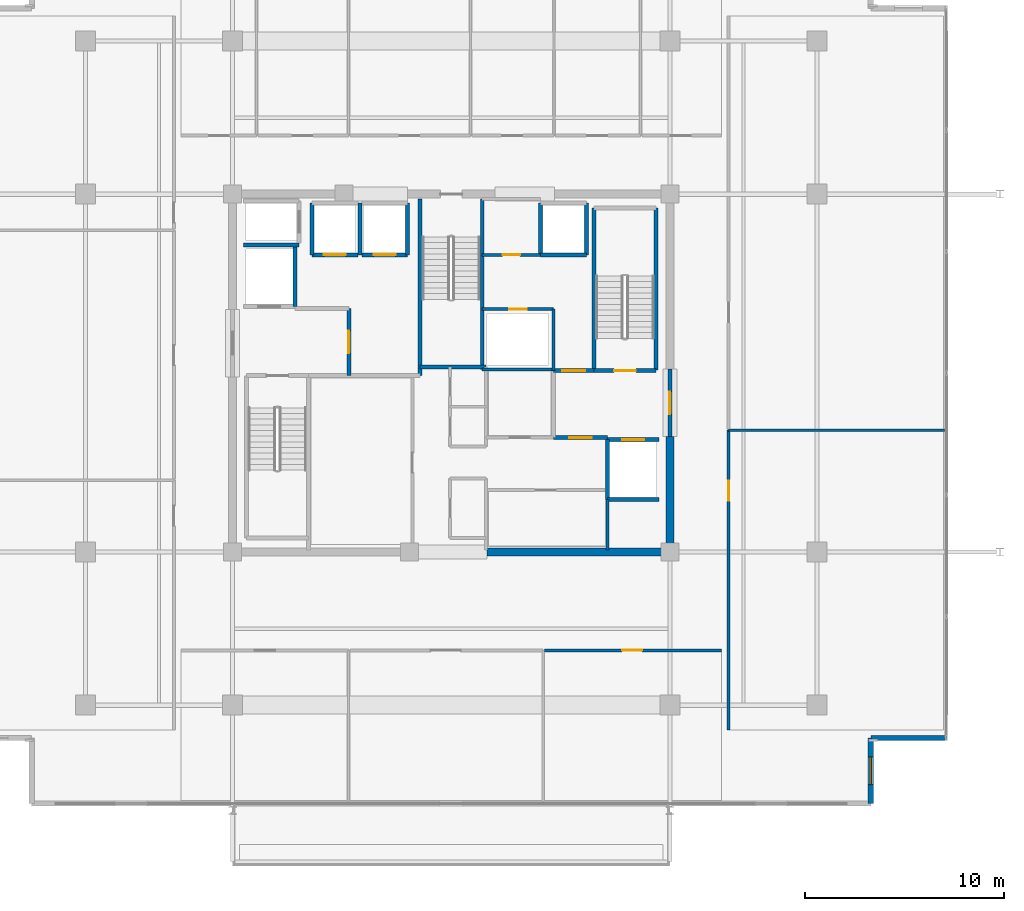
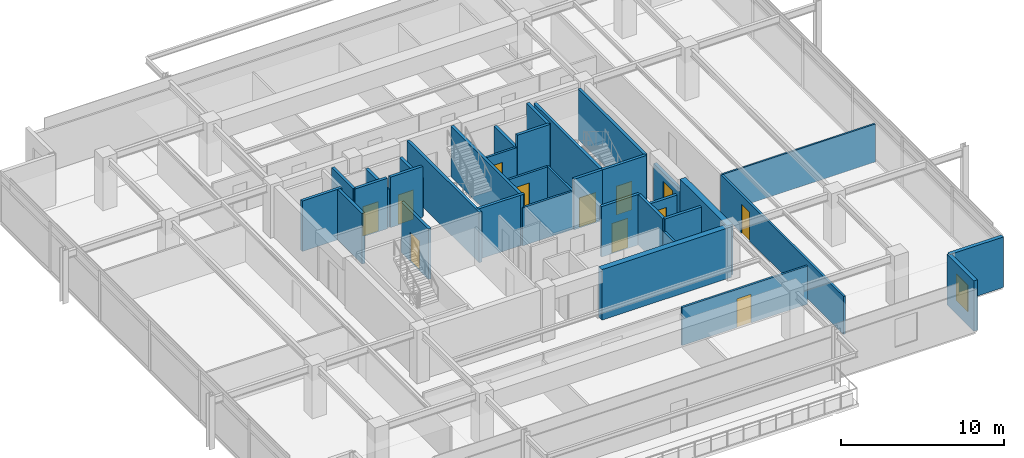
# One storey, part 14 of 20: 35 walls, 12 doors, 1 window, 13 openings.
"""IFC4 building model written with IfcOpenShell, lengths in metres."""

from ifc_helpers import new_model, si_unit, direction, frame, frame_2d, origin, place, context, subcontext, project, spatial, rectangle, extrude, material, layer, layer_set, type_object, element, fill, save


model = new_model("IFC4")

# Units and contexts
model_context = context("Model", 3, precision=1e-05, world=origin(), true_north=direction((0.0, 1.0)))
body_context = subcontext(model_context, "Body", "Model", "MODEL_VIEW")
ifc_project = project(units=[si_unit("LENGTHUNIT", "METRE"), si_unit("AREAUNIT", "SQUARE_METRE"), si_unit("VOLUMEUNIT", "CUBIC_METRE"), si_unit("PLANEANGLEUNIT", "RADIAN"), si_unit("MASSUNIT", "GRAM", prefix="KILO")], contexts=[model_context])

# Site, building, storey
site_placement = place(None, origin())
site = spatial("IfcSite", under=ifc_project, at=site_placement, CompositionType="ELEMENT")
building_placement = place(site_placement, origin())
building = spatial("IfcBuilding", under=site, at=building_placement, Name="Kovane Verandah Tower", CompositionType="ELEMENT")
storey_placement = place(building_placement, frame((0.0, 0.0, 322.800048828125)))
storey = spatial("IfcBuildingStorey", under=building, at=storey_placement, Name="L75", CompositionType="ELEMENT", Elevation=322.800048828125)

# Walls
ifc_material_1 = material(Name="Fire-Rated Gypsum Stud Partition", Category="gypsum")
ifc_layer_1 = layer(ifc_material_1, 0.14990234375)
ifc_layer_set_1 = layer_set([ifc_layer_1], Name="Fire-Rated Gypsum Stud Partition")
wall_type_1 = type_object("IfcWallType", Name="WL-COR-150", PredefinedType="PARTITIONING", material=ifc_layer_set_1)
wall_1_placement = place(storey_placement, frame((41.56005859375, 27.679931640625, 0.0), z_axis=(0.0, 0.0, 1.0), x_axis=(1.0, 0.0, 0.0)))
element("IfcWall", 1, at=wall_1_placement, inside=storey, type_object=wall_type_1, Name="L75 East Core Service Riser South Wall", PredefinedType="PARTITIONING", context=body_context, shape_type="SweptSolid", body=[
    extrude(rectangle(XDim=3.58984375, YDim=0.14990234375, at=frame_2d((1.794921875, 0.0))), origin(), (0.0, 0.0, 1.0), 2.849853515625),
])
wall_2_placement = place(storey_placement, frame((47.85009765625, 18.60009765625, 0.0), z_axis=(0.0, 0.0, 1.0), x_axis=(0.0, 1.0, 0.0)))
element("IfcWall", 2, at=wall_2_placement, inside=storey, type_object=wall_type_1, Name="L75 East Core Support East Wall", PredefinedType="PARTITIONING", context=body_context, shape_type="SweptSolid", body=[
    extrude(rectangle(XDim=2.539794921875, YDim=0.14990234375, at=frame_2d((1.27001953125, 0.0))), origin(), (0.0, 0.0, 1.0), 2.849853515625),
])
wall_3_placement = place(storey_placement, frame((45.14990234375, 27.6201171875, 0.0), z_axis=(0.0, 0.0, 1.0), x_axis=(0.0, 1.0, 0.0)))
element("IfcWall", 3, at=wall_3_placement, inside=storey, type_object=wall_type_1, Name="L75 East Core Service Riser East Wall", PredefinedType="PARTITIONING", context=body_context, shape_type="SweptSolid", body=[
    extrude(rectangle(XDim=3.099853515625, YDim=0.14990234375, at=frame_2d((1.5498046875, 0.0))), origin(), (0.0, 0.0, 1.0), 2.849853515625),
])

# Wall, opening, door
wall_4_placement = place(storey_placement, frame((41.56005859375, 30.719970703125, 0.0), z_axis=(0.0, 0.0, 1.0), x_axis=(1.0, 0.0, 0.0)))
wall_4 = element("IfcWall", 4, at=wall_4_placement, inside=storey, type_object=wall_type_1, Name="L75 Combined Chilled Water and Smoke Duct Room Partition", PredefinedType="PARTITIONING", context=body_context, shape_type="SweptSolid", body=[
    extrude(rectangle(XDim=3.58984375, YDim=0.14990234375, at=frame_2d((1.794921875, 0.0))), origin(), (0.0, 0.0, 1.0), 2.849853515625),
])
opening_1_placement = place(wall_4_placement, frame((1.35498046875, 0.0, 0.0)))
opening_1 = element("IfcOpeningElement", 5, at=opening_1_placement, cuts=wall_4, Name="Opening DR-L75-017", PredefinedType="OPENING", context=body_context, shape_type="SweptSolid", body=[
    extrude(rectangle(XDim=0.8798828125, YDim=2.10009765625, at=frame_2d((0.43994140625, 1.050048828125))), frame((0.0, 0.074951171875, 0.0), z_axis=(0.0, -1.0, 0.0), x_axis=(1.0, 0.0, 0.0)), (0.0, 0.0, 1.0), 0.14990234375),
])
ifc_material_2 = material(Name="Fire-Rated Steel Riser Access Door", Category="steel")
door_type_1 = type_object("IfcDoorType", Name="DR-RISER-880", OperationType="SINGLE_SWING_LEFT", PredefinedType="DOOR", material=ifc_material_2)
door_1_placement = place(opening_1_placement, origin())
door_1 = element("IfcDoor", 6, at=door_1_placement, inside=storey, type_object=door_type_1, Name="L75 Combined Chilled Water and Smoke Duct Room Door", OperationType="SINGLE_SWING_LEFT", OverallHeight=2.10009765625, OverallWidth=0.8798828125, PredefinedType="DOOR", context=body_context, shape_type="SweptSolid", body=[
    extrude(rectangle(XDim=0.8798828125, YDim=2.10009765625, at=frame_2d((0.43994140625, 1.050048828125))), frame((0.0, 0.02490234375, 0.0), z_axis=(0.0, -1.0, 0.0), x_axis=(1.0, 0.0, 0.0)), (0.0, 0.0, 1.0), 0.050048828125),
])
fill(opening_1, door_1)

wall_5_placement = place(storey_placement, frame((41.56005859375, 33.449951171875, 0.0), z_axis=(0.0, 0.0, 1.0), x_axis=(1.0, 0.0, 0.0)))
wall_5 = element("IfcWall", 7, at=wall_5_placement, inside=storey, type_object=wall_type_1, Name="L75 Sky Telecom Riser Room Partition", PredefinedType="PARTITIONING", context=body_context, shape_type="SweptSolid", body=[
    extrude(rectangle(XDim=2.93994140625, YDim=0.14990234375, at=frame_2d((1.469970703125, 0.0))), origin(), (0.0, 0.0, 1.0), 2.849853515625),
])
opening_2_placement = place(wall_5_placement, frame((1.030029296875, 0.0, 0.0)))
opening_2 = element("IfcOpeningElement", 8, at=opening_2_placement, cuts=wall_5, Name="Opening DR-L75-016", PredefinedType="OPENING", context=body_context, shape_type="SweptSolid", body=[
    extrude(rectangle(XDim=0.8798828125, YDim=2.10009765625, at=frame_2d((0.43994140625, 1.050048828125))), frame((0.0, 0.074951171875, 0.0), z_axis=(0.0, -1.0, 0.0), x_axis=(1.0, 0.0, 0.0)), (0.0, 0.0, 1.0), 0.14990234375),
])
door_2_placement = place(opening_2_placement, origin())
door_2 = element("IfcDoor", 9, at=door_2_placement, inside=storey, type_object=door_type_1, Name="L75 Sky Telecom Riser Room Door", OperationType="SINGLE_SWING_RIGHT", OverallHeight=2.10009765625, OverallWidth=0.8798828125, PredefinedType="DOOR", context=body_context, shape_type="SweptSolid", body=[
    extrude(rectangle(XDim=0.8798828125, YDim=2.10009765625, at=frame_2d((0.43994140625, 1.050048828125))), frame((0.0, 0.02490234375, 0.0), z_axis=(0.0, -1.0, 0.0), x_axis=(1.0, 0.0, 0.0)), (0.0, 0.0, 1.0), 0.050048828125),
])
fill(opening_2, door_2)

wall_6_placement = place(storey_placement, frame((44.694091796875, 13.550048828125, 0.0), z_axis=(0.0, 0.0, 1.0), x_axis=(1.0, 0.0, 0.0)))
wall_6 = element("IfcWall", 10, at=wall_6_placement, inside=storey, type_object=wall_type_1, Name="L75 Meeting Room S3 Corridor Partition", PredefinedType="PARTITIONING", context=body_context, shape_type="SweptSolid", body=[
    extrude(rectangle(XDim=8.906005859375, YDim=0.14990234375, at=frame_2d((4.453125, 0.0))), origin(), (0.0, 0.0, 1.0), 2.849853515625),
])
opening_3_placement = place(wall_6_placement, frame((3.903076171875, 0.0, 0.0)))
opening_3 = element("IfcOpeningElement", 11, at=opening_3_placement, cuts=wall_6, Name="Opening DR-L75-026", PredefinedType="OPENING", context=body_context, shape_type="SweptSolid", body=[
    extrude(rectangle(XDim=1.0, YDim=2.14990234375, at=frame_2d((0.5, 1.074951171875))), frame((0.0, 0.074951171875, 0.0), z_axis=(0.0, -1.0, 0.0), x_axis=(1.0, 0.0, 0.0)), (0.0, 0.0, 1.0), 0.14990234375),
])
ifc_material_3 = material(Name="FSC Spotted-Gum Timber Fire-Rated Office Door", Category="wood")
door_type_2 = type_object("IfcDoorType", Name="DR-OFF-1000", OperationType="SINGLE_SWING_LEFT", PredefinedType="DOOR", material=ifc_material_3)
door_3_placement = place(opening_3_placement, origin())
door_3 = element("IfcDoor", 12, at=door_3_placement, inside=storey, type_object=door_type_2, Name="L75 Meeting Room S3 Entrance Door", OperationType="SINGLE_SWING_LEFT", OverallHeight=2.14990234375, OverallWidth=1.0, PredefinedType="DOOR", context=body_context, shape_type="SweptSolid", body=[
    extrude(rectangle(XDim=1.0, YDim=2.14990234375, at=frame_2d((0.5, 1.074951171875))), frame((0.0, 0.02490234375, 0.0), z_axis=(0.0, -1.0, 0.0), x_axis=(1.0, 0.0, 0.0)), (0.0, 0.0, 1.0), 0.050048828125),
])
fill(opening_3, door_3)

wall_7_placement = place(storey_placement, frame((53.949951171875, 9.550048828125, 0.0), z_axis=(0.0, 0.0, 1.0), x_axis=(0.0, 1.0, 0.0)))
wall_7 = element("IfcWall", 13, at=wall_7_placement, inside=storey, type_object=wall_type_1, Name="L75 Document and Print Room E1 Corridor Partition", PredefinedType="PARTITIONING", context=body_context, shape_type="SweptSolid", body=[
    extrude(rectangle(XDim=15.077880859375, YDim=0.14990234375, at=frame_2d((7.5390625, 0.0))), origin(), (0.0, 0.0, 1.0), 2.849853515625),
])
opening_4_placement = place(wall_7_placement, frame((11.529052734375, 0.0, 0.0)))
opening_4 = element("IfcOpeningElement", 14, at=opening_4_placement, cuts=wall_7, Name="Opening DR-L75-011", PredefinedType="OPENING", context=body_context, shape_type="SweptSolid", body=[
    extrude(rectangle(XDim=1.0, YDim=2.14990234375, at=frame_2d((0.5, 1.074951171875))), frame((0.0, 0.074951171875, 0.0), z_axis=(0.0, -1.0, 0.0), x_axis=(1.0, 0.0, 0.0)), (0.0, 0.0, 1.0), 0.14990234375),
])
door_4_placement = place(opening_4_placement, origin())
door_4 = element("IfcDoor", 15, at=door_4_placement, inside=storey, type_object=door_type_2, Name="L75 Document and Print Room E1 Entrance Door", OperationType="SINGLE_SWING_LEFT", OverallHeight=2.14990234375, OverallWidth=1.0, PredefinedType="DOOR", context=body_context, shape_type="SweptSolid", body=[
    extrude(rectangle(XDim=1.0, YDim=2.14990234375, at=frame_2d((0.5, 1.074951171875))), frame((0.0, 0.02490234375, 0.0), z_axis=(0.0, -1.0, 0.0), x_axis=(1.0, 0.0, 0.0)), (0.0, 0.0, 1.0), 0.050048828125),
])
fill(opening_4, door_4)

# Walls
ifc_material_4 = material(Name="Concrete C60/75", Category="concrete")
ifc_layer_2 = layer(ifc_material_4, 0.39990234375)
ifc_layer_set_2 = layer_set([ifc_layer_2], Name="Concrete C60/75")
wall_type_2 = type_object("IfcWallType", Name="WL-CORE-400", PredefinedType="SHEAR", material=ifc_layer_set_2)
wall_8_placement = place(storey_placement, frame((41.800048828125, 18.5, 0.0), z_axis=(0.0, 0.0, 1.0), x_axis=(1.0, 0.0, 0.0)))
element("IfcWall", 16, at=wall_8_placement, inside=storey, type_object=wall_type_2, Name="L75 Core Shear Wall CS-2", PredefinedType="SHEAR", context=body_context, shape_type="SweptSolid", body=[
    extrude(rectangle(XDim=9.199951171875, YDim=0.39990234375, at=frame_2d((4.60009765625, 0.0))), origin(), (0.0, 0.0, 1.0), 3.784912109375),
])
wall_9_placement = place(storey_placement, frame((51.0, 18.5, 0.0), z_axis=(0.0, 0.0, 1.0), x_axis=(0.0, 1.0, 0.0)))
element("IfcWall", 17, at=wall_9_placement, inside=storey, type_object=wall_type_2, Name="L75 Core Shear Wall CE-1", PredefinedType="SHEAR", context=body_context, shape_type="SweptSolid", body=[
    extrude(rectangle(XDim=5.800048828125, YDim=0.39990234375, at=frame_2d((2.89990234375, 0.0))), origin(), (0.0, 0.0, 1.0), 3.784912109375),
])

# Wall, opening, door
ifc_material_5 = material(Name="Concrete C45/55 Fire Wall", Category="concrete")
ifc_layer_3 = layer(ifc_material_5, 0.199951171875)
ifc_layer_set_3 = layer_set([ifc_layer_3], Name="Concrete C45/55 Fire Wall")
wall_type_3 = type_object("IfcWallType", Name="WL-FFL-200", PredefinedType="PARTITIONING", material=ifc_layer_set_3)
wall_10_placement = place(storey_placement, frame((34.85009765625, 27.3798828125, 0.0), z_axis=(0.0, 0.0, 1.0), x_axis=(0.0, 1.0, 0.0)))
wall_10 = element("IfcWall", 18, at=wall_10_placement, inside=storey, type_object=wall_type_3, Name="W-L75-FFLW-E", PredefinedType="PARTITIONING", context=body_context, shape_type="SweptSolid", body=[
    extrude(rectangle(XDim=3.3701171875, YDim=0.199951171875, at=frame_2d((1.68505859375, 0.0))), origin(), (0.0, 0.0, 1.0), 3.784912109375),
])
opening_5_placement = place(wall_10_placement, frame((1.110107421875, 0.0, 0.0)))
opening_5 = element("IfcOpeningElement", 19, at=opening_5_placement, cuts=wall_10, Name="Opening DR-L75-006", PredefinedType="OPENING", context=body_context, shape_type="SweptSolid", body=[
    extrude(rectangle(XDim=1.14990234375, YDim=2.199951171875, at=frame_2d((0.574951171875, 1.10009765625))), frame((0.0, 0.10009765625, 0.0), z_axis=(0.0, -1.0, 0.0), x_axis=(1.0, 0.0, 0.0)), (0.0, 0.0, 1.0), 0.199951171875),
])
ifc_material_6 = material(Name="Smoke-Sealed Firefighting Lobby Door", Category="steel")
door_type_3 = type_object("IfcDoorType", Name="DR-FFL-1150", OperationType="SINGLE_SWING_LEFT", PredefinedType="DOOR", material=ifc_material_6)
door_5_placement = place(opening_5_placement, origin())
door_5 = element("IfcDoor", 20, at=door_5_placement, inside=storey, type_object=door_type_3, Name="L75 West Firefighting Lobby Inner Door", OperationType="SINGLE_SWING_LEFT", OverallHeight=2.199951171875, OverallWidth=1.14990234375, PredefinedType="DOOR", context=body_context, shape_type="SweptSolid", body=[
    extrude(rectangle(XDim=1.14990234375, YDim=2.199951171875, at=frame_2d((0.574951171875, 1.10009765625))), frame((0.0, 0.02490234375, 0.0), z_axis=(0.0, -1.0, 0.0), x_axis=(1.0, 0.0, 0.0)), (0.0, 0.0, 1.0), 0.050048828125),
])
fill(opening_5, door_5)

wall_11_placement = place(storey_placement, frame((45.14990234375, 24.25, 0.0), z_axis=(0.0, 0.0, 1.0), x_axis=(1.0, 0.0, 0.0)))
wall_11 = element("IfcWall", 21, at=wall_11_placement, inside=storey, type_object=wall_type_3, Name="W-L75-FFLE-S", PredefinedType="PARTITIONING", context=body_context, shape_type="SweptSolid", body=[
    extrude(rectangle(XDim=2.7001953125, YDim=0.199951171875, at=frame_2d((1.35009765625, 0.0))), origin(), (0.0, 0.0, 1.0), 3.784912109375),
])
opening_6_placement = place(wall_11_placement, frame((0.77490234375, 0.0, 0.0)))
opening_6 = element("IfcOpeningElement", 22, at=opening_6_placement, cuts=wall_11, Name="Opening DR-L75-003", PredefinedType="OPENING", context=body_context, shape_type="SweptSolid", body=[
    extrude(rectangle(XDim=1.14990234375, YDim=2.199951171875, at=frame_2d((0.574951171875, 1.10009765625))), frame((0.0, 0.10009765625, 0.0), z_axis=(0.0, -1.0, 0.0), x_axis=(1.0, 0.0, 0.0)), (0.0, 0.0, 1.0), 0.199951171875),
])
door_6_placement = place(opening_6_placement, origin())
door_6 = element("IfcDoor", 23, at=door_6_placement, inside=storey, type_object=door_type_3, Name="L75 East Firefighting Lobby Inner Door", OperationType="SINGLE_SWING_RIGHT", OverallHeight=2.199951171875, OverallWidth=1.14990234375, PredefinedType="DOOR", context=body_context, shape_type="SweptSolid", body=[
    extrude(rectangle(XDim=1.14990234375, YDim=2.199951171875, at=frame_2d((0.574951171875, 1.10009765625))), frame((0.0, 0.02490234375, 0.0), z_axis=(0.0, -1.0, 0.0), x_axis=(1.0, 0.0, 0.0)), (0.0, 0.0, 1.0), 0.050048828125),
])
fill(opening_6, door_6)

wall_12_placement = place(storey_placement, frame((45.14990234375, 27.6201171875, 0.0), z_axis=(0.0, 0.0, 1.0), x_axis=(1.0, 0.0, 0.0)))
wall_12 = element("IfcWall", 24, at=wall_12_placement, inside=storey, type_object=wall_type_3, Name="W-L75-FFLE-N", PredefinedType="PARTITIONING", context=body_context, shape_type="SweptSolid", body=[
    extrude(rectangle(XDim=2.030029296875, YDim=0.199951171875, at=frame_2d((1.01513671875, 0.0))), origin(), (0.0, 0.0, 1.0), 3.784912109375),
])
opening_7_placement = place(wall_12_placement, frame((0.43994140625, 0.0, 0.0)))
opening_7 = element("IfcOpeningElement", 25, at=opening_7_placement, cuts=wall_12, Name="Opening DR-L75-004", PredefinedType="OPENING", context=body_context, shape_type="SweptSolid", body=[
    extrude(rectangle(XDim=1.14990234375, YDim=2.199951171875, at=frame_2d((0.574951171875, 1.10009765625))), frame((0.0, 0.10009765625, 0.0), z_axis=(0.0, -1.0, 0.0), x_axis=(1.0, 0.0, 0.0)), (0.0, 0.0, 1.0), 0.199951171875),
])
door_7_placement = place(opening_7_placement, origin())
door_7 = element("IfcDoor", 26, at=door_7_placement, inside=storey, type_object=door_type_3, Name="L75 East Firefighting Lobby Shuttle Link Door", OperationType="SINGLE_SWING_LEFT", OverallHeight=2.199951171875, OverallWidth=1.14990234375, PredefinedType="DOOR", context=body_context, shape_type="SweptSolid", body=[
    extrude(rectangle(XDim=1.14990234375, YDim=2.199951171875, at=frame_2d((0.574951171875, 1.10009765625))), frame((0.0, 0.02490234375, 0.0), z_axis=(0.0, -1.0, 0.0), x_axis=(1.0, 0.0, 0.0)), (0.0, 0.0, 1.0), 0.050048828125),
])
fill(opening_7, door_7)

wall_13_placement = place(storey_placement, frame((51.0, 24.300048828125, 0.0), z_axis=(0.0, 0.0, 1.0), x_axis=(0.0, 1.0, 0.0)))
wall_13 = element("IfcWall", 27, at=wall_13_placement, inside=storey, type_object=wall_type_3, Name="W-L75-FFLE-OUT", PredefinedType="PARTITIONING", context=body_context, shape_type="SweptSolid", body=[
    extrude(rectangle(XDim=3.39990234375, YDim=0.199951171875, at=frame_2d((1.699951171875, 0.0))), origin(), (0.0, 0.0, 1.0), 2.864990234375),
])
opening_8_placement = place(wall_13_placement, frame((1.125, 0.0, 0.0)))
opening_8 = element("IfcOpeningElement", 28, at=opening_8_placement, cuts=wall_13, Name="Opening DR-L75-005", PredefinedType="OPENING", context=body_context, shape_type="SweptSolid", body=[
    extrude(rectangle(XDim=1.14990234375, YDim=2.199951171875, at=frame_2d((0.574951171875, 1.10009765625))), frame((0.0, 0.10009765625, 0.0), z_axis=(0.0, -1.0, 0.0), x_axis=(1.0, 0.0, 0.0)), (0.0, 0.0, 1.0), 0.199951171875),
])
door_8_placement = place(opening_8_placement, origin())
door_8 = element("IfcDoor", 29, at=door_8_placement, inside=storey, type_object=door_type_3, Name="L75 East Firefighting Lobby Corridor Door", OperationType="SINGLE_SWING_LEFT", OverallHeight=2.199951171875, OverallWidth=1.14990234375, PredefinedType="DOOR", context=body_context, shape_type="SweptSolid", body=[
    extrude(rectangle(XDim=1.14990234375, YDim=2.199951171875, at=frame_2d((0.574951171875, 1.10009765625))), frame((0.0, 0.02490234375, 0.0), z_axis=(0.0, -1.0, 0.0), x_axis=(1.0, 0.0, 0.0)), (0.0, 0.0, 1.0), 0.050048828125),
])
fill(opening_8, door_8)

# Walls
ifc_material_7 = material(Name="Concrete C45/55 Lift Shaft Wall", Category="concrete")
ifc_layer_4 = layer(ifc_material_7, 0.199951171875)
ifc_layer_set_4 = layer_set([ifc_layer_4], Name="Concrete C45/55 Lift Shaft Wall")
wall_type_4 = type_object("IfcWallType", Name="WL-LIFT-200", PredefinedType="SOLIDWALL", material=ifc_layer_set_4)
wall_14_placement = place(storey_placement, frame((29.550048828125, 33.949951171875, 0.0), z_axis=(0.0, 0.0, 1.0), x_axis=(1.0, 0.0, 0.0)))
element("IfcWall", 30, at=wall_14_placement, inside=storey, type_object=wall_type_4, Name="L75 Lift FL-01 and GL-01 Shared Shaft Wall", PredefinedType="SOLIDWALL", context=body_context, shape_type="SweptSolid", body=[
    extrude(rectangle(XDim=2.800048828125, YDim=0.199951171875, at=frame_2d((1.39990234375, 0.0))), origin(), (0.0, 0.0, 1.0), 3.784912109375),
])
wall_15_placement = place(storey_placement, frame((32.14990234375, 30.85009765625, 0.0), z_axis=(0.0, 0.0, 1.0), x_axis=(0.0, 1.0, 0.0)))
element("IfcWall", 31, at=wall_15_placement, inside=storey, type_object=wall_type_4, Name="L75 Lift FL-01 E Shaft Wall", PredefinedType="SOLIDWALL", context=body_context, shape_type="SweptSolid", body=[
    extrude(rectangle(XDim=3.0, YDim=0.199951171875, at=frame_2d((1.5, 0.0))), origin(), (0.0, 0.0, 1.0), 3.784912109375),
])
wall_16_placement = place(storey_placement, frame((47.85009765625, 21.14990234375, 0.0), z_axis=(0.0, 0.0, 1.0), x_axis=(1.0, 0.0, 0.0)))
element("IfcWall", 32, at=wall_16_placement, inside=storey, type_object=wall_type_4, Name="L75 Lift FL-02 S Shaft Wall", PredefinedType="SOLIDWALL", context=body_context, shape_type="SweptSolid", body=[
    extrude(rectangle(XDim=2.599853515625, YDim=0.199951171875, at=frame_2d((1.2998046875, 0.0))), origin(), (0.0, 0.0, 1.0), 3.784912109375),
])

# Wall, opening, door
wall_17_placement = place(storey_placement, frame((50.449951171875, 24.14990234375, 0.0), z_axis=(0.0, 0.0, 1.0), x_axis=(-1.0, 0.0, 0.0)))
wall_17 = element("IfcWall", 33, at=wall_17_placement, inside=storey, type_object=wall_type_4, Name="L75 Lift FL-02 N Shaft Wall", PredefinedType="SOLIDWALL", context=body_context, shape_type="SweptSolid", body=[
    extrude(rectangle(XDim=2.599853515625, YDim=0.199951171875, at=frame_2d((1.2998046875, 0.0))), origin(), (0.0, 0.0, 1.0), 2.864990234375),
])
opening_9_placement = place(wall_17_placement, frame((0.75, 0.0, 0.0)))
opening_9 = element("IfcOpeningElement", 34, at=opening_9_placement, cuts=wall_17, Name="Opening LD-L75-002", PredefinedType="OPENING", context=body_context, shape_type="SweptSolid", body=[
    extrude(rectangle(XDim=1.10009765625, YDim=2.199951171875, at=frame_2d((0.550048828125, 1.10009765625))), frame((0.0, 0.10009765625, 0.0), z_axis=(0.0, -1.0, 0.0), x_axis=(1.0, 0.0, 0.0)), (0.0, 0.0, 1.0), 0.199951171875),
])
ifc_material_8 = material(Name="Brushed Stainless Steel Sliding Lift Landing Door", Category="steel")
door_type_4 = type_object("IfcDoorType", Name="DR-LIFT-1100", OperationType="SLIDING_TO_RIGHT", PredefinedType="DOOR", material=ifc_material_8)
door_9_placement = place(opening_9_placement, origin())
door_9 = element("IfcDoor", 35, at=door_9_placement, inside=storey, type_object=door_type_4, Name="L75 Lift FL-02 Sliding Landing Door", OperationType="SLIDING_TO_RIGHT", OverallHeight=2.199951171875, OverallWidth=1.10009765625, PredefinedType="DOOR", context=body_context, shape_type="SweptSolid", body=[
    extrude(rectangle(XDim=1.10009765625, YDim=2.199951171875, at=frame_2d((0.550048828125, 1.10009765625))), frame((0.0, 0.02490234375, 0.0), z_axis=(0.0, -1.0, 0.0), x_axis=(1.0, 0.0, 0.0)), (0.0, 0.0, 1.0), 0.050048828125),
])
fill(opening_9, door_9)

# Wall
wall_18_placement = place(storey_placement, frame((47.85009765625, 24.14990234375, 0.0), z_axis=(0.0, 0.0, 1.0), x_axis=(0.0, -1.0, 0.0)))
element("IfcWall", 36, at=wall_18_placement, inside=storey, type_object=wall_type_4, Name="L75 Lift FL-02 W Shaft Wall", PredefinedType="SOLIDWALL", context=body_context, shape_type="SweptSolid", body=[
    extrude(rectangle(XDim=3.0, YDim=0.199951171875, at=frame_2d((1.5, 0.0))), origin(), (0.0, 0.0, 1.0), 3.784912109375),
])

# Wall, opening, door
wall_19_placement = place(storey_placement, frame((33.0, 33.449951171875, 0.0), z_axis=(0.0, 0.0, 1.0), x_axis=(1.0, 0.0, 0.0)))
wall_19 = element("IfcWall", 37, at=wall_19_placement, inside=storey, type_object=wall_type_4, Name="L75 Lift PL-H1 S Shaft Wall", PredefinedType="SOLIDWALL", context=body_context, shape_type="SweptSolid", body=[
    extrude(rectangle(XDim=2.300048828125, YDim=0.199951171875, at=frame_2d((1.14990234375, 0.0))), origin(), (0.0, 0.0, 1.0), 3.784912109375),
])
opening_10_placement = place(wall_19_placement, frame((0.60009765625, 0.0, 0.0)))
opening_10 = element("IfcOpeningElement", 38, at=opening_10_placement, cuts=wall_19, Name="Opening LD-L75-004", PredefinedType="OPENING", context=body_context, shape_type="SweptSolid", body=[
    extrude(rectangle(XDim=1.10009765625, YDim=2.199951171875, at=frame_2d((0.550048828125, 1.10009765625))), frame((0.0, 0.10009765625, 0.0), z_axis=(0.0, -1.0, 0.0), x_axis=(1.0, 0.0, 0.0)), (0.0, 0.0, 1.0), 0.199951171875),
])
door_10_placement = place(opening_10_placement, origin())
door_10 = element("IfcDoor", 39, at=door_10_placement, inside=storey, type_object=door_type_4, Name="L75 Lift PL-H1 Sliding Landing Door", OperationType="SLIDING_TO_RIGHT", OverallHeight=2.199951171875, OverallWidth=1.10009765625, PredefinedType="DOOR", context=body_context, shape_type="SweptSolid", body=[
    extrude(rectangle(XDim=1.10009765625, YDim=2.199951171875, at=frame_2d((0.550048828125, 1.10009765625))), frame((0.0, 0.02490234375, 0.0), z_axis=(0.0, -1.0, 0.0), x_axis=(1.0, 0.0, 0.0)), (0.0, 0.0, 1.0), 0.050048828125),
])
fill(opening_10, door_10)

# Walls
wall_20_placement = place(storey_placement, frame((33.0, 36.050048828125, 0.0), z_axis=(0.0, 0.0, 1.0), x_axis=(0.0, -1.0, 0.0)))
element("IfcWall", 40, at=wall_20_placement, inside=storey, type_object=wall_type_4, Name="L75 Lift PL-H1 W Shaft Wall", PredefinedType="SOLIDWALL", context=body_context, shape_type="SweptSolid", body=[
    extrude(rectangle(XDim=2.60009765625, YDim=0.199951171875, at=frame_2d((1.300048828125, 0.0))), origin(), (0.0, 0.0, 1.0), 3.784912109375),
])
wall_21_placement = place(storey_placement, frame((35.39990234375, 33.449951171875, 0.0), z_axis=(0.0, 0.0, 1.0), x_axis=(0.0, 1.0, 0.0)))
element("IfcWall", 41, at=wall_21_placement, inside=storey, type_object=wall_type_4, Name="L75 Lift PL-H1 and PL-H2 Shared Shaft Wall", PredefinedType="SOLIDWALL", context=body_context, shape_type="SweptSolid", body=[
    extrude(rectangle(XDim=2.60009765625, YDim=0.199951171875, at=frame_2d((1.300048828125, 0.0))), origin(), (0.0, 0.0, 1.0), 2.864990234375),
])

# Wall, opening, door
wall_22_placement = place(storey_placement, frame((35.5, 33.449951171875, 0.0), z_axis=(0.0, 0.0, 1.0), x_axis=(1.0, 0.0, 0.0)))
wall_22 = element("IfcWall", 42, at=wall_22_placement, inside=storey, type_object=wall_type_4, Name="L75 Lift PL-H2 S Shaft Wall", PredefinedType="SOLIDWALL", context=body_context, shape_type="SweptSolid", body=[
    extrude(rectangle(XDim=2.300048828125, YDim=0.199951171875, at=frame_2d((1.14990234375, 0.0))), origin(), (0.0, 0.0, 1.0), 3.784912109375),
])
opening_11_placement = place(wall_22_placement, frame((0.60009765625, 0.0, 0.0)))
opening_11 = element("IfcOpeningElement", 43, at=opening_11_placement, cuts=wall_22, Name="Opening LD-L75-005", PredefinedType="OPENING", context=body_context, shape_type="SweptSolid", body=[
    extrude(rectangle(XDim=1.10009765625, YDim=2.199951171875, at=frame_2d((0.550048828125, 1.10009765625))), frame((0.0, 0.10009765625, 0.0), z_axis=(0.0, -1.0, 0.0), x_axis=(1.0, 0.0, 0.0)), (0.0, 0.0, 1.0), 0.199951171875),
])
door_11_placement = place(opening_11_placement, origin())
door_11 = element("IfcDoor", 44, at=door_11_placement, inside=storey, type_object=door_type_4, Name="L75 Lift PL-H2 Sliding Landing Door", OperationType="SLIDING_TO_RIGHT", OverallHeight=2.199951171875, OverallWidth=1.10009765625, PredefinedType="DOOR", context=body_context, shape_type="SweptSolid", body=[
    extrude(rectangle(XDim=1.10009765625, YDim=2.199951171875, at=frame_2d((0.550048828125, 1.10009765625))), frame((0.0, 0.02490234375, 0.0), z_axis=(0.0, -1.0, 0.0), x_axis=(1.0, 0.0, 0.0)), (0.0, 0.0, 1.0), 0.050048828125),
])
fill(opening_11, door_11)

# Walls
wall_23_placement = place(storey_placement, frame((37.800048828125, 33.449951171875, 0.0), z_axis=(0.0, 0.0, 1.0), x_axis=(0.0, 1.0, 0.0)))
element("IfcWall", 45, at=wall_23_placement, inside=storey, type_object=wall_type_4, Name="L75 Lift PL-H2 E Shaft Wall", PredefinedType="SOLIDWALL", context=body_context, shape_type="SweptSolid", body=[
    extrude(rectangle(XDim=2.60009765625, YDim=0.199951171875, at=frame_2d((1.300048828125, 0.0))), origin(), (0.0, 0.0, 1.0), 2.864990234375),
])
wall_24_placement = place(storey_placement, frame((44.5, 33.449951171875, 0.0), z_axis=(0.0, 0.0, 1.0), x_axis=(1.0, 0.0, 0.0)))
element("IfcWall", 46, at=wall_24_placement, inside=storey, type_object=wall_type_4, Name="L75 Lift OL-01 S Shaft Wall", PredefinedType="SOLIDWALL", context=body_context, shape_type="SweptSolid", body=[
    extrude(rectangle(XDim=2.300048828125, YDim=0.199951171875, at=frame_2d((1.14990234375, 0.0))), origin(), (0.0, 0.0, 1.0), 3.784912109375),
])
wall_25_placement = place(storey_placement, frame((44.5, 36.050048828125, 0.0), z_axis=(0.0, 0.0, 1.0), x_axis=(0.0, -1.0, 0.0)))
element("IfcWall", 47, at=wall_25_placement, inside=storey, type_object=wall_type_4, Name="L75 Lift OL-01 W Shaft Wall", PredefinedType="SOLIDWALL", context=body_context, shape_type="SweptSolid", body=[
    extrude(rectangle(XDim=2.60009765625, YDim=0.199951171875, at=frame_2d((1.300048828125, 0.0))), origin(), (0.0, 0.0, 1.0), 2.864990234375),
])
wall_26_placement = place(storey_placement, frame((46.800048828125, 33.449951171875, 0.0), z_axis=(0.0, 0.0, 1.0), x_axis=(0.0, 1.0, 0.0)))
element("IfcWall", 48, at=wall_26_placement, inside=storey, type_object=wall_type_4, Name="L75 Lift OL-01 E Shaft Wall", PredefinedType="SOLIDWALL", context=body_context, shape_type="SweptSolid", body=[
    extrude(rectangle(XDim=2.60009765625, YDim=0.199951171875, at=frame_2d((1.300048828125, 0.0))), origin(), (0.0, 0.0, 1.0), 3.784912109375),
])
ifc_material_9 = material(Name="Acoustic Fire-Rated Gypsum Partition", Category="gypsum")
ifc_layer_5 = layer(ifc_material_9, 0.1201171875)
ifc_layer_set_5 = layer_set([ifc_layer_5], Name="Acoustic Fire-Rated Gypsum Partition")
wall_type_5 = type_object("IfcWallType", Name="WL-PART-120", PredefinedType="PARTITIONING", material=ifc_layer_set_5)
wall_27_placement = place(storey_placement, frame((53.949951171875, 24.6279296875, 0.0), z_axis=(0.0, 0.0, 1.0), x_axis=(1.0, 0.0, 0.0)))
element("IfcWall", 49, at=wall_27_placement, inside=storey, type_object=wall_type_5, Name="L75 Document and Print Room E1 Dividing Partition", PredefinedType="PARTITIONING", context=body_context, shape_type="SweptSolid", body=[
    extrude(rectangle(XDim=10.85009765625, YDim=0.1201171875, at=frame_2d((5.425048828125, 0.0))), origin(), (0.0, 0.0, 1.0), 2.849853515625),
])
ifc_material_10 = material(Name="Concrete C45/55", Category="concrete")
ifc_layer_6 = layer(ifc_material_10, 0.199951171875)
ifc_layer_set_6 = layer_set([ifc_layer_6], Name="Concrete C45/55")
wall_type_6 = type_object("IfcWallType", Name="WL-SHAFT-200", PredefinedType="SOLIDWALL", material=ifc_layer_set_6)
wall_28_placement = place(storey_placement, frame((50.300048828125, 27.64990234375, 0.0), z_axis=(0.0, 0.0, 1.0), x_axis=(0.0, 1.0, 0.0)))
element("IfcWall", 50, at=wall_28_placement, inside=storey, type_object=wall_type_6, Name="W-L75-ST02-E", PredefinedType="SOLIDWALL", context=body_context, shape_type="SweptSolid", body=[
    extrude(rectangle(XDim=8.150146484375, YDim=0.199951171875, at=frame_2d((4.0751953125, 0.0))), origin(), (0.0, 0.0, 1.0), 3.784912109375),
])
wall_29_placement = place(storey_placement, frame((47.179931640625, 27.6201171875, 0.0), z_axis=(0.0, 0.0, 1.0), x_axis=(0.0, 1.0, 0.0)))
element("IfcWall", 51, at=wall_29_placement, inside=storey, type_object=wall_type_6, Name="W-L75-ST02-W", PredefinedType="SOLIDWALL", context=body_context, shape_type="SweptSolid", body=[
    extrude(rectangle(XDim=8.179931640625, YDim=0.199951171875, at=frame_2d((4.08984375, 0.0))), origin(), (0.0, 0.0, 1.0), 3.784912109375),
])

# Wall, opening, door
wall_30_placement = place(storey_placement, frame((47.179931640625, 27.6201171875, 0.0), z_axis=(0.0, 0.0, 1.0), x_axis=(1.0, 0.0, 0.0)))
wall_30 = element("IfcWall", 52, at=wall_30_placement, inside=storey, type_object=wall_type_6, Name="W-L75-ST02-S", PredefinedType="SOLIDWALL", context=body_context, shape_type="SweptSolid", body=[
    extrude(rectangle(XDim=3.1201171875, YDim=0.199951171875, at=frame_2d((1.56005859375, 0.0))), origin(), (0.0, 0.0, 1.0), 3.784912109375),
])
opening_12_placement = place(wall_30_placement, frame((1.010009765625, 0.0, 0.0)))
opening_12 = element("IfcOpeningElement", 53, at=opening_12_placement, cuts=wall_30, Name="Opening DR-L75-009", PredefinedType="OPENING", context=body_context, shape_type="SweptSolid", body=[
    extrude(rectangle(XDim=1.10009765625, YDim=2.14990234375, at=frame_2d((0.550048828125, 1.074951171875))), frame((0.0, 0.10009765625, 0.0), z_axis=(0.0, -1.0, 0.0), x_axis=(1.0, 0.0, 0.0)), (0.0, 0.0, 1.0), 0.199951171875),
])
ifc_material_11 = material(Name="Fire-Rated Steel Exit Door", Category="steel")
door_type_5 = type_object("IfcDoorType", Name="DR-STAIR-1100", OperationType="SINGLE_SWING_LEFT", PredefinedType="DOOR", material=ifc_material_11)
door_12_placement = place(opening_12_placement, origin())
door_12 = element("IfcDoor", 54, at=door_12_placement, inside=storey, type_object=door_type_5, Name="L75 ST-02 Fire Exit Stair Door", OperationType="SINGLE_SWING_LEFT", OverallHeight=2.14990234375, OverallWidth=1.10009765625, PredefinedType="DOOR", context=body_context, shape_type="SweptSolid", body=[
    extrude(rectangle(XDim=1.10009765625, YDim=2.14990234375, at=frame_2d((0.550048828125, 1.074951171875))), frame((0.0, 0.02490234375, 0.0), z_axis=(0.0, -1.0, 0.0), x_axis=(1.0, 0.0, 0.0)), (0.0, 0.0, 1.0), 0.050048828125),
])
fill(opening_12, door_12)

# Walls
wall_31_placement = place(storey_placement, frame((38.43994140625, 27.3798828125, 0.0), z_axis=(0.0, 0.0, 1.0), x_axis=(0.0, 1.0, 0.0)))
element("IfcWall", 55, at=wall_31_placement, inside=storey, type_object=wall_type_6, Name="W-L75-ST03-W", PredefinedType="SOLIDWALL", context=body_context, shape_type="SweptSolid", body=[
    extrude(rectangle(XDim=8.8701171875, YDim=0.199951171875, at=frame_2d((4.43505859375, 0.0))), origin(), (0.0, 0.0, 1.0), 3.784912109375),
])
wall_32_placement = place(storey_placement, frame((41.56005859375, 27.679931640625, 0.0), z_axis=(0.0, 0.0, 1.0), x_axis=(0.0, 1.0, 0.0)))
element("IfcWall", 56, at=wall_32_placement, inside=storey, type_object=wall_type_6, Name="W-L75-ST03-E", PredefinedType="SOLIDWALL", context=body_context, shape_type="SweptSolid", body=[
    extrude(rectangle(XDim=8.570068359375, YDim=0.199951171875, at=frame_2d((4.28515625, 0.0))), origin(), (0.0, 0.0, 1.0), 3.784912109375),
])
wall_33_placement = place(storey_placement, frame((38.43994140625, 27.800048828125, 0.0), z_axis=(0.0, 0.0, 1.0), x_axis=(1.0, 0.0, 0.0)))
element("IfcWall", 57, at=wall_33_placement, inside=storey, type_object=wall_type_6, Name="W-L75-ST03-S", PredefinedType="SOLIDWALL", context=body_context, shape_type="SweptSolid", body=[
    extrude(rectangle(XDim=3.320068359375, YDim=0.199951171875, at=frame_2d((1.66015625, 0.0))), origin(), (0.0, 0.0, 1.0), 3.784912109375),
])

# Wall, opening, window
ifc_material_12 = material(Name="Concrete C45/55 Insulated Spandrel Wall", Category="concrete")
ifc_layer_7 = layer(ifc_material_12, 0.260009765625)
ifc_layer_set_7 = layer_set([ifc_layer_7], Name="Concrete C45/55 Insulated Spandrel Wall")
wall_type_7 = type_object("IfcWallType", Name="WL-SPANDREL-260", PredefinedType="PARAPET", material=ifc_layer_set_7)
wall_34_placement = place(storey_placement, frame((61.10009765625, 5.85009765625, 0.0), z_axis=(0.0, 0.0, 1.0), x_axis=(0.0, 1.0, 0.0)))
wall_34 = element("IfcWall", 58, at=wall_34_placement, inside=storey, type_object=wall_type_7, Name="L75 SE Notch Cheek Wall 1", PredefinedType="PARAPET", context=body_context, shape_type="SweptSolid", body=[
    extrude(rectangle(XDim=3.2998046875, YDim=0.260009765625, at=frame_2d((1.64990234375, 0.0))), origin(), (0.0, 0.0, 1.0), 3.784912109375),
])
opening_13_placement = place(wall_34_placement, frame((0.949951171875, 0.0, 0.85009765625)))
opening_13 = element("IfcOpeningElement", 59, at=opening_13_placement, cuts=wall_34, Name="Opening W-01", PredefinedType="OPENING", context=body_context, shape_type="SweptSolid", body=[
    extrude(rectangle(XDim=1.39990234375, YDim=2.0, at=frame_2d((0.699951171875, 1.0))), frame((0.0, 0.1298828125, 0.0), z_axis=(0.0, -1.0, 0.0), x_axis=(1.0, 0.0, 0.0)), (0.0, 0.0, 1.0), 0.260009765625),
])
ifc_material_13 = material(Name="Clear Low-E Laminated Double Glazing in Anodised Frame", Category="glass")
window_type = type_object("IfcWindowType", Name="WN-OPER-1400x2000", PartitioningType="SINGLE_PANEL", PredefinedType="WINDOW", material=ifc_material_13)
window_placement = place(opening_13_placement, origin())
window = element("IfcWindow", 60, at=window_placement, inside=storey, type_object=window_type, Name="L75 SE Re-Entrant Corner Operable Window", OverallHeight=2.0, OverallWidth=1.39990234375, PartitioningType="SINGLE_PANEL", PredefinedType="WINDOW", context=body_context, shape_type="SweptSolid", body=[
    extrude(rectangle(XDim=1.39990234375, YDim=2.0, at=frame_2d((0.699951171875, 1.0))), frame((0.0, 0.030029296875, 0.0), z_axis=(0.0, -1.0, 0.0), x_axis=(1.0, 0.0, 0.0)), (0.0, 0.0, 1.0), 0.06005859375),
])
fill(opening_13, window)

# Wall
wall_35_placement = place(storey_placement, frame((61.10009765625, 9.14990234375, 0.0), z_axis=(0.0, 0.0, 1.0), x_axis=(1.0, 0.0, 0.0)))
element("IfcWall", 61, at=wall_35_placement, inside=storey, type_object=wall_type_7, Name="L75 SE Notch Cheek Wall 2", PredefinedType="PARAPET", context=body_context, shape_type="SweptSolid", body=[
    extrude(rectangle(XDim=3.7998046875, YDim=0.260009765625, at=frame_2d((1.89990234375, 0.0))), origin(), (0.0, 0.0, 1.0), 3.784912109375),
])

save(model, "model.ifc")
